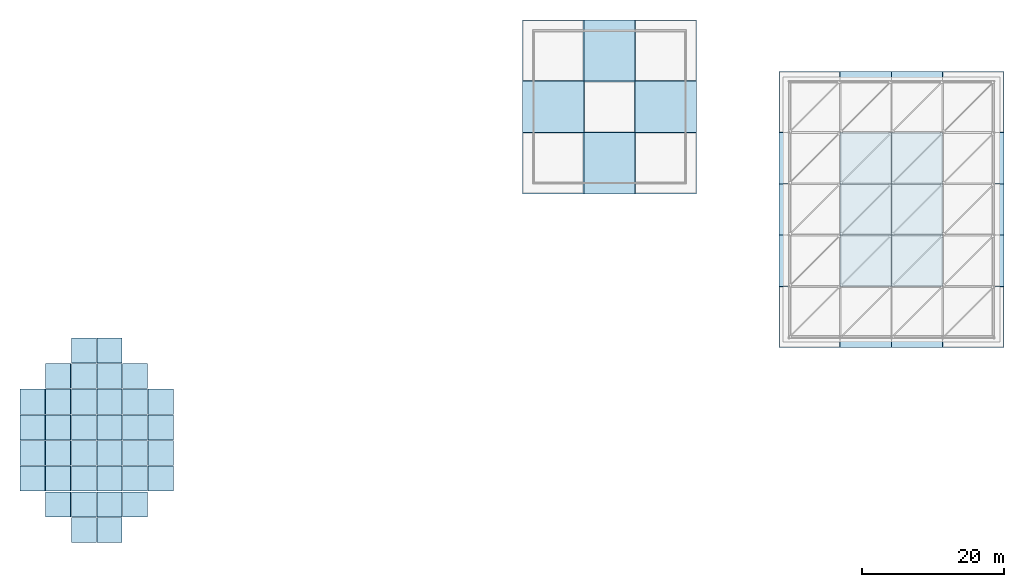
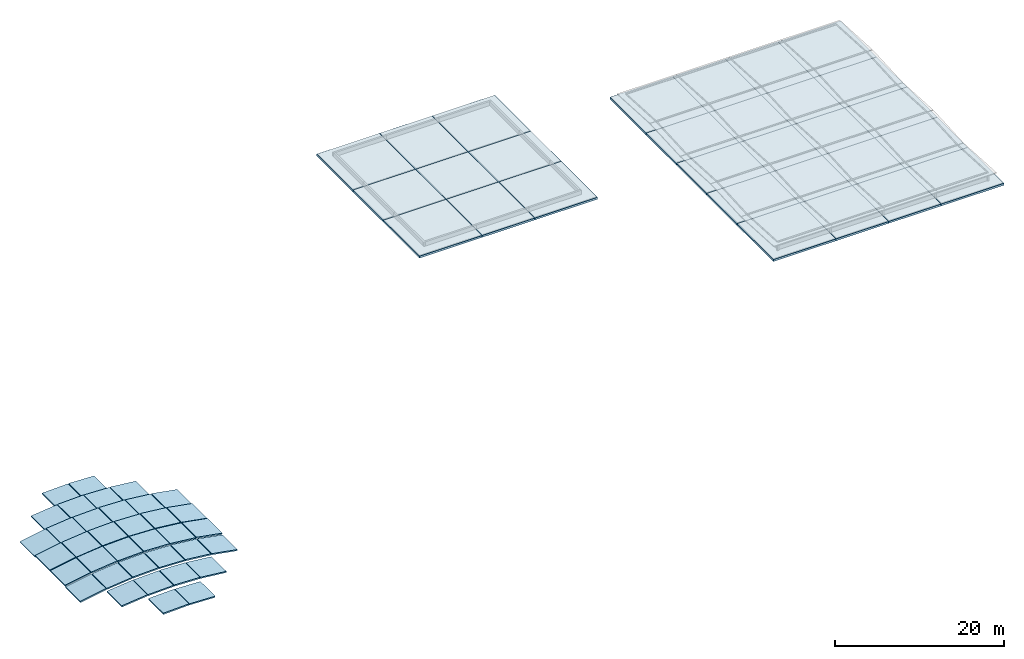
# One storey, part 13 of 15: 65 slabs.
"""IFC4 building model written with IfcOpenShell, lengths in metres."""

from ifc_helpers import new_model, si_unit, direction, frame, origin, place, context, subcontext, project, spatial, polyline, outline, extrude, material, layer, layer_set, type_object, element, save


model = new_model("IFC4")

# Units and contexts
model_context = context("Model", 3, precision=1e-05, world=origin(), true_north=direction((0.0, 1.0)))
body_context = subcontext(model_context, "Body", "Model", "MODEL_VIEW")
ifc_project = project(units=[si_unit("LENGTHUNIT", "METRE"), si_unit("AREAUNIT", "SQUARE_METRE"), si_unit("VOLUMEUNIT", "CUBIC_METRE"), si_unit("PLANEANGLEUNIT", "RADIAN"), si_unit("MASSUNIT", "GRAM", prefix="KILO")], contexts=[model_context])

# Site, building, storey
site_placement = place(None, origin())
site = spatial("IfcSite", under=ifc_project, at=site_placement, CompositionType="ELEMENT")
building_placement = place(site_placement, origin())
building = spatial("IfcBuilding", under=site, at=building_placement, Name="Kavelor Marine Aquarium", CompositionType="ELEMENT")
storey_placement = place(building_placement, frame((0.0, 0.0, 25.56005859375)))
storey = spatial("IfcBuildingStorey", under=building, at=storey_placement, Name="RF", CompositionType="ELEMENT", Elevation=25.56005859375)

# Slabs
ifc_material_1 = material(Name="Concrete C40/50", Category="concrete")
ifc_layer_1 = layer(ifc_material_1, 0.280029296875)
ifc_layer_set_1 = layer_set([ifc_layer_1], Name="SL-RF1")
slab_type_1 = type_object("IfcSlabType", Name="SL-RF1", PredefinedType="ROOF", material=ifc_layer_set_1)
slab_1_placement = place(storey_placement, frame((0.0, 0.0, -0.280029296875)))
element("IfcSlab", 1, at=slab_1_placement, inside=storey, type_object=slab_type_1, Name="roof:RF:11_12", PredefinedType="ROOF", context=body_context, shape_type="SweptSolid", body=[
    extrude(outline(polyline([(81.0, 87.800048828125), (89.60009765625, 87.800048828125), (89.60009765625, 96.39990234375), (81.0, 96.39990234375), (81.0, 87.800048828125)])), origin(), (0.0, 0.0, 1.0), 0.280029296875),
])
slab_2_placement = place(storey_placement, frame((0.0, 0.0, -0.280029296875)))
element("IfcSlab", 2, at=slab_2_placement, inside=storey, type_object=slab_type_1, Name="roof:RF:11_13", PredefinedType="ROOF", context=body_context, shape_type="SweptSolid", body=[
    extrude(outline(polyline([(81.0, 96.39990234375), (89.60009765625, 96.39990234375), (89.60009765625, 103.60009765625), (81.0, 103.60009765625), (81.0, 96.39990234375)])), origin(), (0.0, 0.0, 1.0), 0.280029296875),
])
slab_3_placement = place(storey_placement, frame((0.0, 0.0, -0.280029296875)))
element("IfcSlab", 3, at=slab_3_placement, inside=storey, type_object=slab_type_1, Name="roof:RF:11_14", PredefinedType="ROOF", context=body_context, shape_type="SweptSolid", body=[
    extrude(outline(polyline([(81.0, 103.60009765625), (89.60009765625, 103.60009765625), (89.60009765625, 112.199951171875), (81.0, 112.199951171875), (81.0, 103.60009765625)])), origin(), (0.0, 0.0, 1.0), 0.280029296875),
])
slab_4_placement = place(storey_placement, frame((0.0, 0.0, -0.280029296875)))
element("IfcSlab", 4, at=slab_4_placement, inside=storey, type_object=slab_type_1, Name="roof:RF:12_12", PredefinedType="ROOF", context=body_context, shape_type="SweptSolid", body=[
    extrude(outline(polyline([(89.60009765625, 87.800048828125), (96.800048828125, 87.800048828125), (96.800048828125, 96.39990234375), (89.60009765625, 96.39990234375), (89.60009765625, 87.800048828125)])), origin(), (0.0, 0.0, 1.0), 0.280029296875),
])
slab_5_placement = place(storey_placement, frame((0.0, 0.0, -0.280029296875)))
element("IfcSlab", 5, at=slab_5_placement, inside=storey, type_object=slab_type_1, Name="roof:RF:12_13", PredefinedType="ROOF", context=body_context, shape_type="SweptSolid", body=[
    extrude(outline(polyline([(89.60009765625, 96.39990234375), (96.800048828125, 96.39990234375), (96.800048828125, 103.60009765625), (89.60009765625, 103.60009765625), (89.60009765625, 96.39990234375)])), origin(), (0.0, 0.0, 1.0), 0.280029296875),
])
slab_6_placement = place(storey_placement, frame((0.0, 0.0, -0.280029296875)))
element("IfcSlab", 6, at=slab_6_placement, inside=storey, type_object=slab_type_1, Name="roof:RF:12_14", PredefinedType="ROOF", context=body_context, shape_type="SweptSolid", body=[
    extrude(outline(polyline([(89.60009765625, 103.60009765625), (96.800048828125, 103.60009765625), (96.800048828125, 112.199951171875), (89.60009765625, 112.199951171875), (89.60009765625, 103.60009765625)])), origin(), (0.0, 0.0, 1.0), 0.280029296875),
])
slab_7_placement = place(storey_placement, frame((0.0, 0.0, -0.280029296875)))
element("IfcSlab", 7, at=slab_7_placement, inside=storey, type_object=slab_type_1, Name="roof:RF:13_12", PredefinedType="ROOF", context=body_context, shape_type="SweptSolid", body=[
    extrude(outline(polyline([(96.800048828125, 87.800048828125), (105.39990234375, 87.800048828125), (105.39990234375, 96.39990234375), (96.800048828125, 96.39990234375), (96.800048828125, 87.800048828125)])), origin(), (0.0, 0.0, 1.0), 0.280029296875),
])
slab_8_placement = place(storey_placement, frame((0.0, 0.0, -0.280029296875)))
element("IfcSlab", 8, at=slab_8_placement, inside=storey, type_object=slab_type_1, Name="roof:RF:13_13", PredefinedType="ROOF", context=body_context, shape_type="SweptSolid", body=[
    extrude(outline(polyline([(96.800048828125, 96.39990234375), (105.39990234375, 96.39990234375), (105.39990234375, 103.60009765625), (96.800048828125, 103.60009765625), (96.800048828125, 96.39990234375)])), origin(), (0.0, 0.0, 1.0), 0.280029296875),
])
slab_9_placement = place(storey_placement, frame((0.0, 0.0, -0.280029296875)))
element("IfcSlab", 9, at=slab_9_placement, inside=storey, type_object=slab_type_1, Name="roof:RF:13_14", PredefinedType="ROOF", context=body_context, shape_type="SweptSolid", body=[
    extrude(outline(polyline([(96.800048828125, 103.60009765625), (105.39990234375, 103.60009765625), (105.39990234375, 112.199951171875), (96.800048828125, 112.199951171875), (96.800048828125, 103.60009765625)])), origin(), (0.0, 0.0, 1.0), 0.280029296875),
])
slab_10_placement = place(storey_placement, frame((0.0, 0.0, -0.280029296875)))
element("IfcSlab", 10, at=slab_10_placement, inside=storey, type_object=slab_type_1, Name="roof:RF:16_09", PredefinedType="ROOF", context=body_context, shape_type="SweptSolid", body=[
    extrude(outline(polyline([(117.0, 66.199951171875), (125.60009765625, 66.199951171875), (125.60009765625, 74.800048828125), (117.0, 74.800048828125), (117.0, 66.199951171875)])), origin(), (0.0, 0.0, 1.0), 0.280029296875),
])
slab_11_placement = place(storey_placement, frame((0.0, 0.0, -0.280029296875)))
element("IfcSlab", 11, at=slab_11_placement, inside=storey, type_object=slab_type_1, Name="roof:RF:16_10", PredefinedType="ROOF", context=body_context, shape_type="SweptSolid", body=[
    extrude(outline(polyline([(117.0, 74.800048828125), (125.60009765625, 74.800048828125), (125.60009765625, 82.0), (117.0, 82.0), (117.0, 74.800048828125)])), origin(), (0.0, 0.0, 1.0), 0.280029296875),
])
slab_12_placement = place(storey_placement, frame((0.0, 0.0, -0.280029296875)))
element("IfcSlab", 12, at=slab_12_placement, inside=storey, type_object=slab_type_1, Name="roof:RF:16_11", PredefinedType="ROOF", context=body_context, shape_type="SweptSolid", body=[
    extrude(outline(polyline([(117.0, 82.0), (125.60009765625, 82.0), (125.60009765625, 89.199951171875), (117.0, 89.199951171875), (117.0, 82.0)])), origin(), (0.0, 0.0, 1.0), 0.280029296875),
])
slab_13_placement = place(storey_placement, frame((0.0, 0.0, -0.280029296875)))
element("IfcSlab", 13, at=slab_13_placement, inside=storey, type_object=slab_type_1, Name="roof:RF:16_12", PredefinedType="ROOF", context=body_context, shape_type="SweptSolid", body=[
    extrude(outline(polyline([(117.0, 89.199951171875), (125.60009765625, 89.199951171875), (125.60009765625, 96.39990234375), (117.0, 96.39990234375), (117.0, 89.199951171875)])), origin(), (0.0, 0.0, 1.0), 0.280029296875),
])
slab_14_placement = place(storey_placement, frame((0.0, 0.0, -0.280029296875)))
element("IfcSlab", 14, at=slab_14_placement, inside=storey, type_object=slab_type_1, Name="roof:RF:16_13", PredefinedType="ROOF", context=body_context, shape_type="SweptSolid", body=[
    extrude(outline(polyline([(117.0, 96.39990234375), (125.60009765625, 96.39990234375), (125.60009765625, 105.0), (117.0, 105.0), (117.0, 96.39990234375)])), origin(), (0.0, 0.0, 1.0), 0.280029296875),
])
slab_15_placement = place(storey_placement, frame((0.0, 0.0, -0.280029296875)))
element("IfcSlab", 15, at=slab_15_placement, inside=storey, type_object=slab_type_1, Name="roof:RF:17_09", PredefinedType="ROOF", context=body_context, shape_type="SweptSolid", body=[
    extrude(outline(polyline([(125.60009765625, 66.199951171875), (132.800048828125, 66.199951171875), (132.800048828125, 74.800048828125), (125.60009765625, 74.800048828125), (125.60009765625, 66.199951171875)])), origin(), (0.0, 0.0, 1.0), 0.280029296875),
])
slab_16_placement = place(storey_placement, frame((0.0, 0.0, -0.280029296875)))
element("IfcSlab", 16, at=slab_16_placement, inside=storey, type_object=slab_type_1, Name="roof:RF:17_10", PredefinedType="ROOF", context=body_context, shape_type="SweptSolid", body=[
    extrude(outline(polyline([(125.60009765625, 74.800048828125), (132.800048828125, 74.800048828125), (132.800048828125, 82.0), (125.60009765625, 82.0), (125.60009765625, 74.800048828125)])), origin(), (0.0, 0.0, 1.0), 0.280029296875),
])
slab_17_placement = place(storey_placement, frame((0.0, 0.0, -0.280029296875)))
element("IfcSlab", 17, at=slab_17_placement, inside=storey, type_object=slab_type_1, Name="roof:RF:17_11", PredefinedType="ROOF", context=body_context, shape_type="SweptSolid", body=[
    extrude(outline(polyline([(125.60009765625, 82.0), (132.800048828125, 82.0), (132.800048828125, 89.199951171875), (125.60009765625, 89.199951171875), (125.60009765625, 82.0)])), origin(), (0.0, 0.0, 1.0), 0.280029296875),
])
slab_18_placement = place(storey_placement, frame((0.0, 0.0, -0.280029296875)))
element("IfcSlab", 18, at=slab_18_placement, inside=storey, type_object=slab_type_1, Name="roof:RF:17_12", PredefinedType="ROOF", context=body_context, shape_type="SweptSolid", body=[
    extrude(outline(polyline([(125.60009765625, 89.199951171875), (132.800048828125, 89.199951171875), (132.800048828125, 96.39990234375), (125.60009765625, 96.39990234375), (125.60009765625, 89.199951171875)])), origin(), (0.0, 0.0, 1.0), 0.280029296875),
])
slab_19_placement = place(storey_placement, frame((0.0, 0.0, -0.280029296875)))
element("IfcSlab", 19, at=slab_19_placement, inside=storey, type_object=slab_type_1, Name="roof:RF:17_13", PredefinedType="ROOF", context=body_context, shape_type="SweptSolid", body=[
    extrude(outline(polyline([(125.60009765625, 96.39990234375), (132.800048828125, 96.39990234375), (132.800048828125, 105.0), (125.60009765625, 105.0), (125.60009765625, 96.39990234375)])), origin(), (0.0, 0.0, 1.0), 0.280029296875),
])
slab_20_placement = place(storey_placement, frame((0.0, 0.0, -0.280029296875)))
element("IfcSlab", 20, at=slab_20_placement, inside=storey, type_object=slab_type_1, Name="roof:RF:18_09", PredefinedType="ROOF", context=body_context, shape_type="SweptSolid", body=[
    extrude(outline(polyline([(132.800048828125, 66.199951171875), (140.0, 66.199951171875), (140.0, 74.800048828125), (132.800048828125, 74.800048828125), (132.800048828125, 66.199951171875)])), origin(), (0.0, 0.0, 1.0), 0.280029296875),
])
slab_21_placement = place(storey_placement, frame((0.0, 0.0, -0.280029296875)))
element("IfcSlab", 21, at=slab_21_placement, inside=storey, type_object=slab_type_1, Name="roof:RF:18_10", PredefinedType="ROOF", context=body_context, shape_type="SweptSolid", body=[
    extrude(outline(polyline([(132.800048828125, 74.800048828125), (140.0, 74.800048828125), (140.0, 82.0), (132.800048828125, 82.0), (132.800048828125, 74.800048828125)])), origin(), (0.0, 0.0, 1.0), 0.280029296875),
])
slab_22_placement = place(storey_placement, frame((0.0, 0.0, -0.280029296875)))
element("IfcSlab", 22, at=slab_22_placement, inside=storey, type_object=slab_type_1, Name="roof:RF:18_11", PredefinedType="ROOF", context=body_context, shape_type="SweptSolid", body=[
    extrude(outline(polyline([(132.800048828125, 82.0), (140.0, 82.0), (140.0, 89.199951171875), (132.800048828125, 89.199951171875), (132.800048828125, 82.0)])), origin(), (0.0, 0.0, 1.0), 0.280029296875),
])
slab_23_placement = place(storey_placement, frame((0.0, 0.0, -0.280029296875)))
element("IfcSlab", 23, at=slab_23_placement, inside=storey, type_object=slab_type_1, Name="roof:RF:18_12", PredefinedType="ROOF", context=body_context, shape_type="SweptSolid", body=[
    extrude(outline(polyline([(132.800048828125, 89.199951171875), (140.0, 89.199951171875), (140.0, 96.39990234375), (132.800048828125, 96.39990234375), (132.800048828125, 89.199951171875)])), origin(), (0.0, 0.0, 1.0), 0.280029296875),
])
slab_24_placement = place(storey_placement, frame((0.0, 0.0, -0.280029296875)))
element("IfcSlab", 24, at=slab_24_placement, inside=storey, type_object=slab_type_1, Name="roof:RF:18_13", PredefinedType="ROOF", context=body_context, shape_type="SweptSolid", body=[
    extrude(outline(polyline([(132.800048828125, 96.39990234375), (140.0, 96.39990234375), (140.0, 105.0), (132.800048828125, 105.0), (132.800048828125, 96.39990234375)])), origin(), (0.0, 0.0, 1.0), 0.280029296875),
])
slab_25_placement = place(storey_placement, frame((0.0, 0.0, -0.280029296875)))
element("IfcSlab", 25, at=slab_25_placement, inside=storey, type_object=slab_type_1, Name="roof:RF:19_09", PredefinedType="ROOF", context=body_context, shape_type="SweptSolid", body=[
    extrude(outline(polyline([(140.0, 66.199951171875), (148.60009765625, 66.199951171875), (148.60009765625, 74.800048828125), (140.0, 74.800048828125), (140.0, 66.199951171875)])), origin(), (0.0, 0.0, 1.0), 0.280029296875),
])
slab_26_placement = place(storey_placement, frame((0.0, 0.0, -0.280029296875)))
element("IfcSlab", 26, at=slab_26_placement, inside=storey, type_object=slab_type_1, Name="roof:RF:19_10", PredefinedType="ROOF", context=body_context, shape_type="SweptSolid", body=[
    extrude(outline(polyline([(140.0, 74.800048828125), (148.60009765625, 74.800048828125), (148.60009765625, 82.0), (140.0, 82.0), (140.0, 74.800048828125)])), origin(), (0.0, 0.0, 1.0), 0.280029296875),
])
slab_27_placement = place(storey_placement, frame((0.0, 0.0, -0.280029296875)))
element("IfcSlab", 27, at=slab_27_placement, inside=storey, type_object=slab_type_1, Name="roof:RF:19_11", PredefinedType="ROOF", context=body_context, shape_type="SweptSolid", body=[
    extrude(outline(polyline([(140.0, 82.0), (148.60009765625, 82.0), (148.60009765625, 89.199951171875), (140.0, 89.199951171875), (140.0, 82.0)])), origin(), (0.0, 0.0, 1.0), 0.280029296875),
])
slab_28_placement = place(storey_placement, frame((0.0, 0.0, -0.280029296875)))
element("IfcSlab", 28, at=slab_28_placement, inside=storey, type_object=slab_type_1, Name="roof:RF:19_12", PredefinedType="ROOF", context=body_context, shape_type="SweptSolid", body=[
    extrude(outline(polyline([(140.0, 89.199951171875), (148.60009765625, 89.199951171875), (148.60009765625, 96.39990234375), (140.0, 96.39990234375), (140.0, 89.199951171875)])), origin(), (0.0, 0.0, 1.0), 0.280029296875),
])
slab_29_placement = place(storey_placement, frame((0.0, 0.0, -0.280029296875)))
element("IfcSlab", 29, at=slab_29_placement, inside=storey, type_object=slab_type_1, Name="roof:RF:19_13", PredefinedType="ROOF", context=body_context, shape_type="SweptSolid", body=[
    extrude(outline(polyline([(140.0, 96.39990234375), (148.60009765625, 96.39990234375), (148.60009765625, 105.0), (140.0, 105.0), (140.0, 96.39990234375)])), origin(), (0.0, 0.0, 1.0), 0.280029296875),
])
ifc_material_2 = material(Name="Concrete C45/55", Category="concrete")
ifc_layer_2 = layer(ifc_material_2, 0.199951171875)
ifc_layer_set_2 = layer_set([ifc_layer_2], Name="SL-RF4")
slab_type_2 = type_object("IfcSlabType", Name="SL-RF4", PredefinedType="ROOF", material=ifc_layer_set_2)
for number, where, z_axis, x_axis, name in (
    (30, (10.43994140625, 46.0400390625, 0.04345703125), (-0.177004886862, 0.0, 0.98420997253), (0.98420997253, 0.0, 0.177004886862), "gs:roof:02_06"),
    (31, (10.43994140625, 53.239990234375, 0.217529296875), (-0.177004886862, 0.0, 0.98420997253), (0.98420997253, 0.0, 0.177004886862), "gs:roof:02_08"),
):
    element("IfcSlab", number, at=place(storey_placement, frame(where, z_axis=z_axis, x_axis=x_axis)), inside=storey, type_object=slab_type_2, Name=name, PredefinedType="ROOF", context=body_context, shape_type="SweptSolid", body=[
        extrude(outline(polyline([(0.0, 0.0), (3.576492445206739, 0.0), (3.576492445206739, 3.52001953125), (0.0, 3.52001953125), (0.0, 0.0)])), origin(), (0.0, 0.0, -1.0), 0.199951171875),
    ])
slab_30_placement = place(storey_placement, frame((14.0400390625, 42.43994140625, 0.326904296875), z_axis=(-0.106206814718, 0.0, 0.994344061433), x_axis=(0.994344061433, 0.0, 0.106206814718)))
element("IfcSlab", 32, at=slab_30_placement, inside=storey, type_object=slab_type_2, Name="gs:roof:03_05", PredefinedType="ROOF", context=body_context, shape_type="SweptSolid", body=[
    extrude(outline(polyline([(0.0, 0.0), (3.5400417901390355, 0.0), (3.5400417901390355, 3.52001953125), (0.0, 3.52001953125), (0.0, 0.0)])), origin(), (0.0, 0.0, -1.0), 0.199951171875),
])
slab_31_placement = place(storey_placement, frame((14.0400390625, 49.639892578125, 0.8505859375), z_axis=(-0.10627500151, 0.0, 0.994336775974), x_axis=(0.994336775974, 0.0, 0.10627500151)))
element("IfcSlab", 33, at=slab_31_placement, inside=storey, type_object=slab_type_2, Name="gs:roof:03_07", PredefinedType="ROOF", context=body_context, shape_type="SweptSolid", body=[
    extrude(outline(polyline([(0.0, 0.0), (3.5400677278607735, 0.0), (3.5400677278607735, 3.52001953125), (0.0, 3.52001953125), (0.0, 0.0)])), origin(), (0.0, 0.0, -1.0), 0.199951171875),
])
slab_32_placement = place(storey_placement, frame((14.0400390625, 56.840087890625, 0.676513671875), z_axis=(-0.106206814718, 0.0, 0.994344061433), x_axis=(0.994344061433, 0.0, 0.106206814718)))
element("IfcSlab", 34, at=slab_32_placement, inside=storey, type_object=slab_type_2, Name="gs:roof:03_09", PredefinedType="ROOF", context=body_context, shape_type="SweptSolid", body=[
    extrude(outline(polyline([(0.0, 0.0), (3.5400417901390355, 0.0), (3.5400417901390355, 3.52001953125), (0.0, 3.52001953125), (0.0, 0.0)])), origin(), (0.0, 0.0, -1.0), 0.199951171875),
])
for number, where, z_axis, x_axis, name in (
    (35, (17.639892578125, 38.840087890625, 0.17529296875), (-0.035419570184, 0.0, 0.999372530165), (0.999372530165, 0.0, 0.035419570184), "gs:roof:04_04"),
    (36, (17.639892578125, 46.0400390625, 1.052490234375), (-0.035419570184, 0.0, 0.999372530165), (0.999372530165, 0.0, 0.035419570184), "gs:roof:04_06"),
    (37, (17.639892578125, 53.239990234375, 1.226806640625), (-0.035419570184, 0.0, 0.999372530165), (0.999372530165, 0.0, 0.035419570184), "gs:roof:04_08"),
    (38, (17.639892578125, 60.43994140625, 0.702880859375), (-0.035419570184, 0.0, 0.999372530165), (0.999372530165, 0.0, 0.035419570184), "gs:roof:04_10"),
    (39, (21.239990234375, 42.43994140625, 0.82763671875), (0.035419570184, 0.0, 0.999372530165), (0.999372530165, 0.0, -0.035419570184), "gs:roof:05_05"),
    (40, (21.239990234375, 49.639892578125, 1.3515625), (0.035419570184, 0.0, 0.999372530165), (0.999372530165, 0.0, -0.035419570184), "gs:roof:05_07"),
    (41, (21.239990234375, 56.840087890625, 1.17724609375), (0.035419570184, 0.0, 0.999372530165), (0.999372530165, 0.0, -0.035419570184), "gs:roof:05_09"),
    (42, (21.239990234375, 64.0400390625, 0.300048828125), (0.035419570184, 0.0, 0.999372530165), (0.999372530165, 0.0, -0.035419570184), "gs:roof:05_11"),
):
    element("IfcSlab", number, at=place(storey_placement, frame(where, z_axis=z_axis, x_axis=x_axis)), inside=storey, type_object=slab_type_2, Name=name, PredefinedType="ROOF", context=body_context, shape_type="SweptSolid", body=[
        extrude(outline(polyline([(0.0, 0.0), (3.5222296240918003, 0.0), (3.5222296240918003, 3.52001953125), (0.0, 3.52001953125), (0.0, 0.0)])), origin(), (0.0, 0.0, -1.0), 0.199951171875),
    ])
slab_33_placement = place(storey_placement, frame((24.840087890625, 46.0400390625, 1.052490234375), z_axis=(0.106206814718, 0.0, 0.994344061433), x_axis=(0.994344061433, 0.0, -0.106206814718)))
element("IfcSlab", 43, at=slab_33_placement, inside=storey, type_object=slab_type_2, Name="gs:roof:06_06", PredefinedType="ROOF", context=body_context, shape_type="SweptSolid", body=[
    extrude(outline(polyline([(0.0, 0.0), (3.5400417901390355, 0.0), (3.5400417901390355, 3.52001953125), (0.0, 3.52001953125), (0.0, 0.0)])), origin(), (0.0, 0.0, -1.0), 0.199951171875),
])
slab_34_placement = place(storey_placement, frame((24.840087890625, 53.239990234375, 1.226806640625), z_axis=(0.10627500151, 0.0, 0.994336775974), x_axis=(0.994336775974, 0.0, -0.10627500151)))
element("IfcSlab", 44, at=slab_34_placement, inside=storey, type_object=slab_type_2, Name="gs:roof:06_08", PredefinedType="ROOF", context=body_context, shape_type="SweptSolid", body=[
    extrude(outline(polyline([(0.0, 0.0), (3.5400677278607735, 0.0), (3.5400677278607735, 3.52001953125), (0.0, 3.52001953125), (0.0, 0.0)])), origin(), (0.0, 0.0, -1.0), 0.199951171875),
])
slab_35_placement = place(storey_placement, frame((24.840087890625, 60.43994140625, 0.702880859375), z_axis=(0.106206814718, 0.0, 0.994344061433), x_axis=(0.994344061433, 0.0, -0.106206814718)))
element("IfcSlab", 45, at=slab_35_placement, inside=storey, type_object=slab_type_2, Name="gs:roof:06_10", PredefinedType="ROOF", context=body_context, shape_type="SweptSolid", body=[
    extrude(outline(polyline([(0.0, 0.0), (3.5400417901390355, 0.0), (3.5400417901390355, 3.52001953125), (0.0, 3.52001953125), (0.0, 0.0)])), origin(), (0.0, 0.0, -1.0), 0.199951171875),
])
for number, where, z_axis, x_axis, name in (
    (46, (28.43994140625, 49.639892578125, 0.8505859375), (0.177004886862, 0.0, 0.98420997253), (0.98420997253, 0.0, -0.177004886862), "gs:roof:07_07"),
    (47, (28.43994140625, 56.840087890625, 0.676513671875), (0.177004886862, 0.0, 0.98420997253), (0.98420997253, 0.0, -0.177004886862), "gs:roof:07_09"),
):
    element("IfcSlab", number, at=place(storey_placement, frame(where, z_axis=z_axis, x_axis=x_axis)), inside=storey, type_object=slab_type_2, Name=name, PredefinedType="ROOF", context=body_context, shape_type="SweptSolid", body=[
        extrude(outline(polyline([(0.0, 0.0), (3.576492445206739, 0.0), (3.576492445206739, 3.52001953125), (0.0, 3.52001953125), (0.0, 0.0)])), origin(), (0.0, 0.0, -1.0), 0.199951171875),
    ])
ifc_material_3 = material(Name="Concrete C45/55", Category="concrete")
ifc_layer_3 = layer(ifc_material_3, 0.179931640625)
ifc_layer_set_3 = layer_set([ifc_layer_3], Name="SL-RF5")
slab_type_3 = type_object("IfcSlabType", Name="SL-RF5", PredefinedType="ROOF", material=ifc_layer_set_3)
for number, where, z_axis, x_axis, name in (
    (48, (10.43994140625, 49.639892578125, 0.197509765625), (-0.177004886862, 0.0, 0.98420997253), (0.98420997253, 0.0, 0.177004886862), "gs:roof:02_07"),
    (49, (10.43994140625, 56.840087890625, 0.0234375), (-0.177004886862, 0.0, 0.98420997253), (0.98420997253, 0.0, 0.177004886862), "gs:roof:02_09"),
):
    element("IfcSlab", number, at=place(storey_placement, frame(where, z_axis=z_axis, x_axis=x_axis)), inside=storey, type_object=slab_type_3, Name=name, PredefinedType="ROOF", context=body_context, shape_type="SweptSolid", body=[
        extrude(outline(polyline([(0.0, 0.0), (3.576492445206739, 0.0), (3.576492445206739, 3.52001953125), (0.0, 3.52001953125), (0.0, 0.0)])), origin(), (0.0, 0.0, -1.0), 0.179931640625),
    ])
slab_36_placement = place(storey_placement, frame((14.0400390625, 46.0400390625, 0.656494140625), z_axis=(-0.106206814718, 0.0, 0.994344061433), x_axis=(0.994344061433, 0.0, 0.106206814718)))
element("IfcSlab", 50, at=slab_36_placement, inside=storey, type_object=slab_type_3, Name="gs:roof:03_06", PredefinedType="ROOF", context=body_context, shape_type="SweptSolid", body=[
    extrude(outline(polyline([(0.0, 0.0), (3.5400417901390355, 0.0), (3.5400417901390355, 3.52001953125), (0.0, 3.52001953125), (0.0, 0.0)])), origin(), (0.0, 0.0, -1.0), 0.179931640625),
])
slab_37_placement = place(storey_placement, frame((14.0400390625, 53.239990234375, 0.83056640625), z_axis=(-0.10627500151, 0.0, 0.994336775974), x_axis=(0.994336775974, 0.0, 0.10627500151)))
element("IfcSlab", 51, at=slab_37_placement, inside=storey, type_object=slab_type_3, Name="gs:roof:03_08", PredefinedType="ROOF", context=body_context, shape_type="SweptSolid", body=[
    extrude(outline(polyline([(0.0, 0.0), (3.5400677278607735, 0.0), (3.5400677278607735, 3.52001953125), (0.0, 3.52001953125), (0.0, 0.0)])), origin(), (0.0, 0.0, -1.0), 0.179931640625),
])
slab_38_placement = place(storey_placement, frame((14.0400390625, 60.43994140625, 0.306884765625), z_axis=(-0.106206814718, 0.0, 0.994344061433), x_axis=(0.994344061433, 0.0, 0.106206814718)))
element("IfcSlab", 52, at=slab_38_placement, inside=storey, type_object=slab_type_3, Name="gs:roof:03_10", PredefinedType="ROOF", context=body_context, shape_type="SweptSolid", body=[
    extrude(outline(polyline([(0.0, 0.0), (3.5400417901390355, 0.0), (3.5400417901390355, 3.52001953125), (0.0, 3.52001953125), (0.0, 0.0)])), origin(), (0.0, 0.0, -1.0), 0.179931640625),
])
for number, where, z_axis, x_axis, name in (
    (53, (17.639892578125, 42.43994140625, 0.682861328125), (-0.035419570184, 0.0, 0.999372530165), (0.999372530165, 0.0, 0.035419570184), "gs:roof:04_05"),
    (54, (17.639892578125, 49.639892578125, 1.206787109375), (-0.035419570184, 0.0, 0.999372530165), (0.999372530165, 0.0, 0.035419570184), "gs:roof:04_07"),
    (55, (17.639892578125, 56.840087890625, 1.032470703125), (-0.035419570184, 0.0, 0.999372530165), (0.999372530165, 0.0, 0.035419570184), "gs:roof:04_09"),
    (56, (17.639892578125, 64.0400390625, 0.155517578125), (-0.035419570184, 0.0, 0.999372530165), (0.999372530165, 0.0, 0.035419570184), "gs:roof:04_11"),
    (57, (21.239990234375, 38.840087890625, 0.2802734375), (0.035419570184, 0.0, 0.999372530165), (0.999372530165, 0.0, -0.035419570184), "gs:roof:05_04"),
    (58, (21.239990234375, 46.0400390625, 1.1572265625), (0.035419570184, 0.0, 0.999372530165), (0.999372530165, 0.0, -0.035419570184), "gs:roof:05_06"),
    (59, (21.239990234375, 53.239990234375, 1.33154296875), (0.035419570184, 0.0, 0.999372530165), (0.999372530165, 0.0, -0.035419570184), "gs:roof:05_08"),
    (60, (21.239990234375, 60.43994140625, 0.8076171875), (0.035419570184, 0.0, 0.999372530165), (0.999372530165, 0.0, -0.035419570184), "gs:roof:05_10"),
):
    element("IfcSlab", number, at=place(storey_placement, frame(where, z_axis=z_axis, x_axis=x_axis)), inside=storey, type_object=slab_type_3, Name=name, PredefinedType="ROOF", context=body_context, shape_type="SweptSolid", body=[
        extrude(outline(polyline([(0.0, 0.0), (3.5222296240918003, 0.0), (3.5222296240918003, 3.52001953125), (0.0, 3.52001953125), (0.0, 0.0)])), origin(), (0.0, 0.0, -1.0), 0.179931640625),
    ])
slab_39_placement = place(storey_placement, frame((24.840087890625, 42.43994140625, 0.682861328125), z_axis=(0.106206814718, 0.0, 0.994344061433), x_axis=(0.994344061433, 0.0, -0.106206814718)))
element("IfcSlab", 61, at=slab_39_placement, inside=storey, type_object=slab_type_3, Name="gs:roof:06_05", PredefinedType="ROOF", context=body_context, shape_type="SweptSolid", body=[
    extrude(outline(polyline([(0.0, 0.0), (3.5400417901390355, 0.0), (3.5400417901390355, 3.52001953125), (0.0, 3.52001953125), (0.0, 0.0)])), origin(), (0.0, 0.0, -1.0), 0.179931640625),
])
slab_40_placement = place(storey_placement, frame((24.840087890625, 49.639892578125, 1.206787109375), z_axis=(0.10627500151, 0.0, 0.994336775974), x_axis=(0.994336775974, 0.0, -0.10627500151)))
element("IfcSlab", 62, at=slab_40_placement, inside=storey, type_object=slab_type_3, Name="gs:roof:06_07", PredefinedType="ROOF", context=body_context, shape_type="SweptSolid", body=[
    extrude(outline(polyline([(0.0, 0.0), (3.5400677278607735, 0.0), (3.5400677278607735, 3.52001953125), (0.0, 3.52001953125), (0.0, 0.0)])), origin(), (0.0, 0.0, -1.0), 0.179931640625),
])
slab_41_placement = place(storey_placement, frame((24.840087890625, 56.840087890625, 1.032470703125), z_axis=(0.106206814718, 0.0, 0.994344061433), x_axis=(0.994344061433, 0.0, -0.106206814718)))
element("IfcSlab", 63, at=slab_41_placement, inside=storey, type_object=slab_type_3, Name="gs:roof:06_09", PredefinedType="ROOF", context=body_context, shape_type="SweptSolid", body=[
    extrude(outline(polyline([(0.0, 0.0), (3.5400417901390355, 0.0), (3.5400417901390355, 3.52001953125), (0.0, 3.52001953125), (0.0, 0.0)])), origin(), (0.0, 0.0, -1.0), 0.179931640625),
])
for number, where, z_axis, x_axis, name in (
    (64, (28.43994140625, 46.0400390625, 0.656494140625), (0.177004886862, 0.0, 0.98420997253), (0.98420997253, 0.0, -0.177004886862), "gs:roof:07_06"),
    (65, (28.43994140625, 53.239990234375, 0.83056640625), (0.177004886862, 0.0, 0.98420997253), (0.98420997253, 0.0, -0.177004886862), "gs:roof:07_08"),
):
    element("IfcSlab", number, at=place(storey_placement, frame(where, z_axis=z_axis, x_axis=x_axis)), inside=storey, type_object=slab_type_3, Name=name, PredefinedType="ROOF", context=body_context, shape_type="SweptSolid", body=[
        extrude(outline(polyline([(0.0, 0.0), (3.576492445206739, 0.0), (3.576492445206739, 3.52001953125), (0.0, 3.52001953125), (0.0, 0.0)])), origin(), (0.0, 0.0, -1.0), 0.179931640625),
    ])

save(model, "model.ifc")
